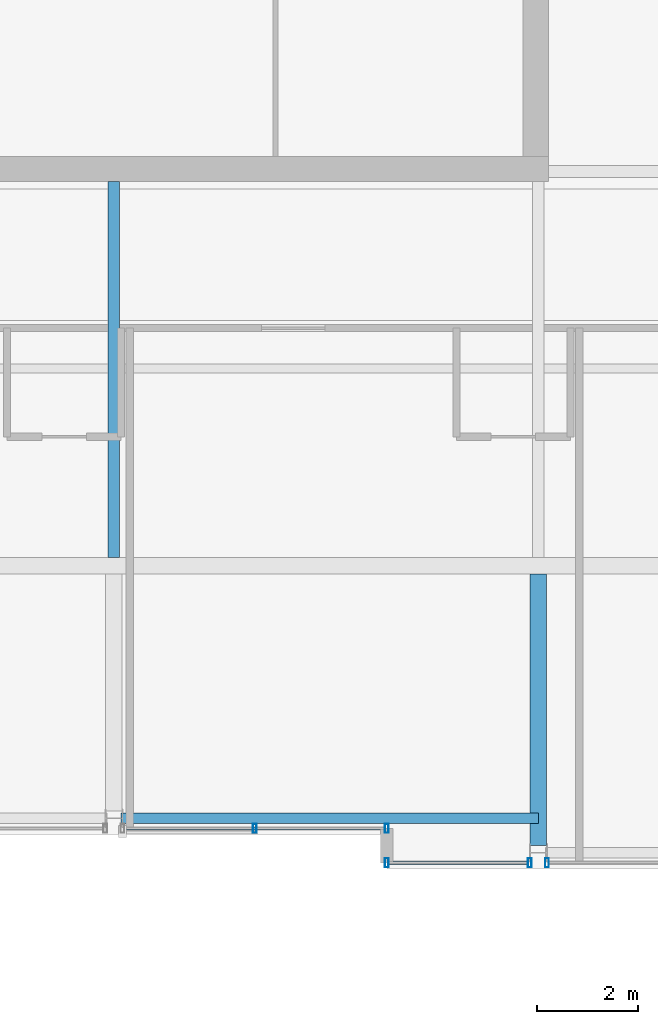
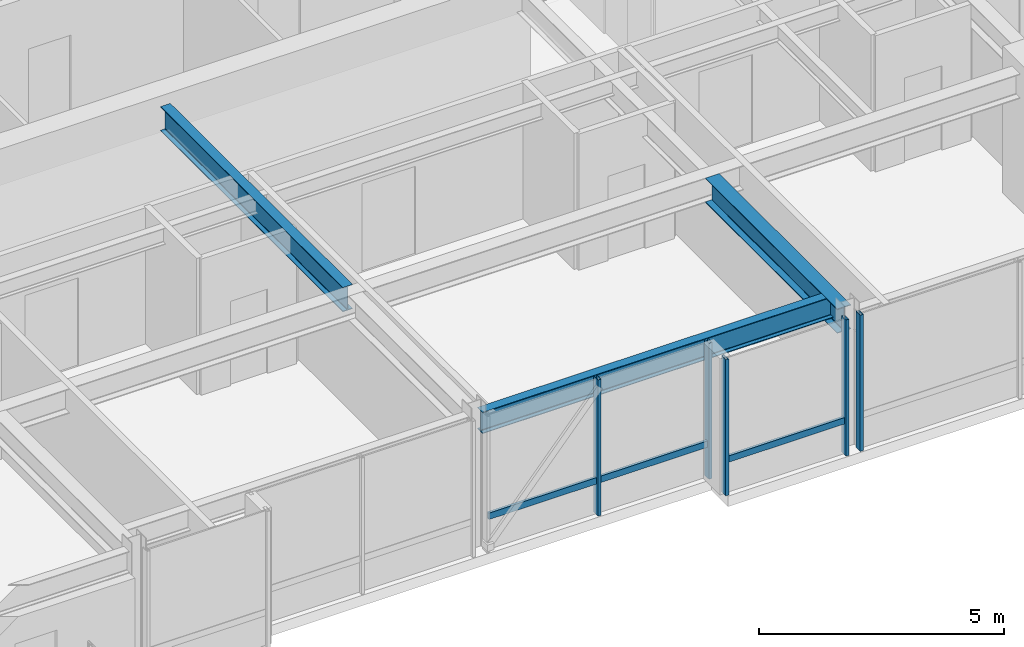
# One storey, part 9 of 34: 7 members, 3 beams, 3 elements without a shape of their own.
"""IFC4 building model written with IfcOpenShell, lengths in metres."""

from ifc_helpers import new_model, si_unit, direction, frame, origin, origin_2d, place, context, subcontext, project, spatial, hollow_rectangle, i_section, extrude, material, layer, layer_set, material_profile, profile_set, type_object, element, aggregate, save


model = new_model("IFC4")

# Units and contexts
model_context = context("Model", 3, precision=1e-05, world=origin(), true_north=direction((0.0, 1.0)))
body_context = subcontext(model_context, "Body", "Model", "MODEL_VIEW")
ifc_project = project(units=[si_unit("LENGTHUNIT", "METRE"), si_unit("AREAUNIT", "SQUARE_METRE"), si_unit("VOLUMEUNIT", "CUBIC_METRE"), si_unit("PLANEANGLEUNIT", "RADIAN"), si_unit("MASSUNIT", "GRAM", prefix="KILO")], contexts=[model_context])

# Site, building, storey
site_placement = place(None, origin())
site = spatial("IfcSite", under=ifc_project, at=site_placement, CompositionType="ELEMENT")
building_placement = place(site_placement, origin())
building = spatial("IfcBuilding", under=site, at=building_placement, Name="Drelvath Grand Hotel", CompositionType="ELEMENT")
storey_placement = place(building_placement, frame((0.0, 0.0, 286.89990234375)))
storey = spatial("IfcBuildingStorey", under=building, at=storey_placement, Name="L75", CompositionType="ELEMENT", Elevation=286.89990234375)

# Curtain wall, member
ifc_material_1 = material(Name="Platinum-Mist Anodised Aluminium Frame", Category="aluminium")
ifc_layer = layer(ifc_material_1, 0.199951171875)
ifc_layer_set = layer_set([ifc_layer], Name="Platinum-Mist Anodised Aluminium Frame")
curtain_wall_type = type_object("IfcCurtainWallType", Name="Stick Curtain Wall CW-05 Platinum Mist High-Rise", PredefinedType="NOTDEFINED", material=ifc_layer_set)
curtain_wall_1_placement = place(storey_placement, origin())
curtain_wall_1 = element("IfcCurtainWall", 1, at=curtain_wall_1_placement, inside=storey, type_object=curtain_wall_type, Name="L75 CW-05 Curtain Wall CW05-L75-SE1", PredefinedType="NOTDEFINED")
ifc_material_profile_1 = material_profile(ifc_material_1, hollow_rectangle(XDim=0.06494140625, YDim=0.159912109375, WallThickness=0.00390625, at=origin_2d()), Name="HSS160X65X4")
ifc_profile_set_1 = profile_set([ifc_material_profile_1], Name="Platinum-Mist Anodised Aluminium Frame")
member_type_1 = type_object("IfcMemberType", Name="Curtain Wall Horizontal Transom CW-05 HSS160X65X4", PredefinedType="USERDEFINED", material=ifc_profile_set_1)
member_1_placement = place(storey_placement, frame((8.18994140625, 4.919921875, 0.84765625), z_axis=(-1.0, 0.0, 0.0), x_axis=(0.0, -1.0, 0.0)))
member_1 = element("IfcMember", 2, at=member_1_placement, type_object=member_type_1, Name="CW05-L75-SE1 Sill Transom", ObjectType="TRANSOM", PredefinedType="USERDEFINED", context=body_context, shape_type="SweptSolid", body=[
    extrude(hollow_rectangle(XDim=0.06494140625, YDim=0.159912109375, WallThickness=0.00390625, at=origin_2d()), origin(), (0.0, 0.0, 1.0), 2.75),
])

curtain_wall_2_placement = place(storey_placement, origin())
curtain_wall_2 = element("IfcCurtainWall", 3, at=curtain_wall_2_placement, inside=storey, type_object=curtain_wall_type, Name="L75 CW-05 Curtain Wall CW05-L75-SM2", PredefinedType="NOTDEFINED")
member_2_placement = place(storey_placement, frame((5.360107421875, 5.60009765625, 0.84765625), z_axis=(-1.0, 0.0, 0.0), x_axis=(0.0, -1.0, 0.0)))
member_2 = element("IfcMember", 4, at=member_2_placement, type_object=member_type_1, Name="CW05-L75-SM2 Sill Transom", ObjectType="TRANSOM", PredefinedType="USERDEFINED", context=body_context, shape_type="SweptSolid", body=[
    extrude(hollow_rectangle(XDim=0.06494140625, YDim=0.159912109375, WallThickness=0.00390625, at=origin_2d()), origin(), (0.0, 0.0, 1.0), 5.14990234375),
])

# Member
ifc_material_profile_2 = material_profile(ifc_material_1, hollow_rectangle(XDim=0.074951171875, YDim=0.179931640625, WallThickness=0.0048828125, at=origin_2d()), Name="HSS180X75X5")
ifc_profile_set_2 = profile_set([ifc_material_profile_2], Name="Platinum-Mist Anodised Aluminium Frame")
member_type_2 = type_object("IfcMemberType", Name="Curtain Wall Vertical Mullion CW-05 HSS180X75X5", PredefinedType="MULLION", material=ifc_profile_set_2)
member_3_placement = place(storey_placement, frame((8.22998046875, 4.919921875, 0.0), z_axis=(0.0, 0.0, 1.0), x_axis=(1.0, 0.0, 0.0)))
member_3 = element("IfcMember", 5, at=member_3_placement, type_object=member_type_2, Name="CW05-L75-SE1 Mullion 1", PredefinedType="MULLION", context=body_context, shape_type="SweptSolid", body=[
    extrude(hollow_rectangle(XDim=0.074951171875, YDim=0.179931640625, WallThickness=0.0048828125, at=origin_2d()), origin(), (0.0, 0.0, 1.0), 3.39013671875),
])

member_4_placement = place(storey_placement, frame((5.39990234375, 4.919921875, 0.0), z_axis=(0.0, 0.0, 1.0), x_axis=(1.0, 0.0, 0.0)))
member_4 = element("IfcMember", 6, at=member_4_placement, type_object=member_type_2, Name="CW05-L75-SE1 Mullion 2", PredefinedType="MULLION", context=body_context, shape_type="SweptSolid", body=[
    extrude(hollow_rectangle(XDim=0.074951171875, YDim=0.179931640625, WallThickness=0.0048828125, at=origin_2d()), origin(), (0.0, 0.0, 1.0), 3.39013671875),
])

aggregate(curtain_wall_1, [member_3, member_4, member_1])

# Curtain wall, member
curtain_wall_3_placement = place(storey_placement, origin())
curtain_wall_3 = element("IfcCurtainWall", 7, at=curtain_wall_3_placement, inside=storey, type_object=curtain_wall_type, Name="L75 CW-05 Curtain Wall CW05-L75-SE2", PredefinedType="NOTDEFINED")
member_5_placement = place(storey_placement, frame((8.570068359375, 4.919921875, 0.0), z_axis=(0.0, 0.0, 1.0), x_axis=(1.0, 0.0, 0.0)))
member_5 = element("IfcMember", 8, at=member_5_placement, type_object=member_type_2, Name="CW05-L75-SE2 Mullion 3", PredefinedType="MULLION", context=body_context, shape_type="SweptSolid", body=[
    extrude(hollow_rectangle(XDim=0.074951171875, YDim=0.179931640625, WallThickness=0.0048828125, at=origin_2d()), origin(), (0.0, 0.0, 1.0), 3.39013671875),
])
aggregate(curtain_wall_3, [member_5])

# Member
member_6_placement = place(storey_placement, frame((5.39990234375, 5.60009765625, 0.0), z_axis=(0.0, 0.0, 1.0), x_axis=(1.0, 0.0, 0.0)))
member_6 = element("IfcMember", 9, at=member_6_placement, type_object=member_type_2, Name="CW05-L75-SM2 Mullion 1", PredefinedType="MULLION", context=body_context, shape_type="SweptSolid", body=[
    extrude(hollow_rectangle(XDim=0.074951171875, YDim=0.179931640625, WallThickness=0.0048828125, at=origin_2d()), origin(), (0.0, 0.0, 1.0), 3.39013671875),
])

member_7_placement = place(storey_placement, frame((2.78515625, 5.60009765625, 0.0), z_axis=(0.0, 0.0, 1.0), x_axis=(1.0, 0.0, 0.0)))
member_7 = element("IfcMember", 10, at=member_7_placement, type_object=member_type_2, Name="CW05-L75-SM2 Mullion 2", PredefinedType="MULLION", context=body_context, shape_type="SweptSolid", body=[
    extrude(hollow_rectangle(XDim=0.074951171875, YDim=0.179931640625, WallThickness=0.0048828125, at=origin_2d()), origin(), (0.0, 0.0, 1.0), 3.39013671875),
])

aggregate(curtain_wall_2, [member_6, member_7, member_2])

# Beams
ifc_material_2 = material(Name="Steel ASTM A992 Gr 50", Category="steel")
ifc_material_profile_3 = material_profile(ifc_material_2, i_section(OverallWidth=0.210205078125, OverallDepth=0.53662109375, WebThickness=0.010986328125, FlangeThickness=0.017333984375, FilletRadius=0.01806640625, at=origin_2d()), Name="W21X68")
ifc_profile_set_3 = profile_set([ifc_material_profile_3], Name="Steel ASTM A992 Gr 50")
beam_type_1 = type_object("IfcBeamType", Name="Perimeter Spandrel Beam W21X68", PredefinedType="SPANDREL", material=ifc_profile_set_3)
beam_1_placement = place(storey_placement, frame((0.139892578125, 5.800048828125, 3.121826171875), z_axis=(1.0, 0.0, 0.0), x_axis=(0.0, 1.0, 0.0)))
element("IfcBeam", 11, at=beam_1_placement, inside=storey, type_object=beam_type_1, Name="L75 Spandrel South Mid E", PredefinedType="SPANDREL", context=body_context, shape_type="SweptSolid", body=[
    extrude(i_section(OverallWidth=0.210205078125, OverallDepth=0.53662109375, WebThickness=0.010986328125, FlangeThickness=0.017333984375, FilletRadius=0.01806640625, at=origin_2d()), origin(), (0.0, 0.0, 1.0), 8.260009765625),
])
ifc_material_profile_4 = material_profile(ifc_material_2, i_section(OverallWidth=0.323974609375, OverallDepth=0.611083984375, WebThickness=0.0126953125, FlangeThickness=0.01904296875, FilletRadius=0.02197265625, at=origin_2d()), Name="W24X104")
ifc_profile_set_4 = profile_set([ifc_material_profile_4], Name="Steel ASTM A992 Gr 50")
beam_type_2 = type_object("IfcBeamType", Name="Primary Floor Girder W24X104", PredefinedType="BEAM", material=ifc_profile_set_4)
beam_2_placement = place(storey_placement, frame((8.39990234375, 5.260009765625, 3.084716796875), z_axis=(0.0, 1.0, 0.0), x_axis=(-1.0, 0.0, 0.0)))
element("IfcBeam", 12, at=beam_2_placement, inside=storey, type_object=beam_type_2, Name="L75 South Wing Girder 6", PredefinedType="BEAM", context=body_context, shape_type="SweptSolid", body=[
    extrude(i_section(OverallWidth=0.323974609375, OverallDepth=0.611083984375, WebThickness=0.0126953125, FlangeThickness=0.01904296875, FilletRadius=0.02197265625, at=origin_2d()), origin(), (0.0, 0.0, 1.0), 5.3779296875),
])
ifc_material_profile_5 = material_profile(ifc_material_2, i_section(OverallWidth=0.228271484375, OverallDepth=0.607666015625, WebThickness=0.01123046875, FlangeThickness=0.017333984375, FilletRadius=0.02001953125, at=origin_2d()), Name="W24X76")
ifc_profile_set_5 = profile_set([ifc_material_profile_5], Name="Steel ASTM A992 Gr 50")
beam_type_3 = type_object("IfcBeamType", Name="Primary Floor Girder W24X76", PredefinedType="BEAM", material=ifc_profile_set_5)
beam_3_placement = place(storey_placement, frame((0.0, 10.9619140625, 3.086181640625), z_axis=(0.0, 1.0, 0.0), x_axis=(-1.0, 0.0, 0.0)))
element("IfcBeam", 13, at=beam_3_placement, inside=storey, type_object=beam_type_3, Name="L75 South Core Tie 5", PredefinedType="BEAM", context=body_context, shape_type="SweptSolid", body=[
    extrude(i_section(OverallWidth=0.228271484375, OverallDepth=0.607666015625, WebThickness=0.01123046875, FlangeThickness=0.017333984375, FilletRadius=0.02001953125, at=origin_2d()), origin(), (0.0, 0.0, 1.0), 7.43798828125),
])

save(model, "model.ifc")
